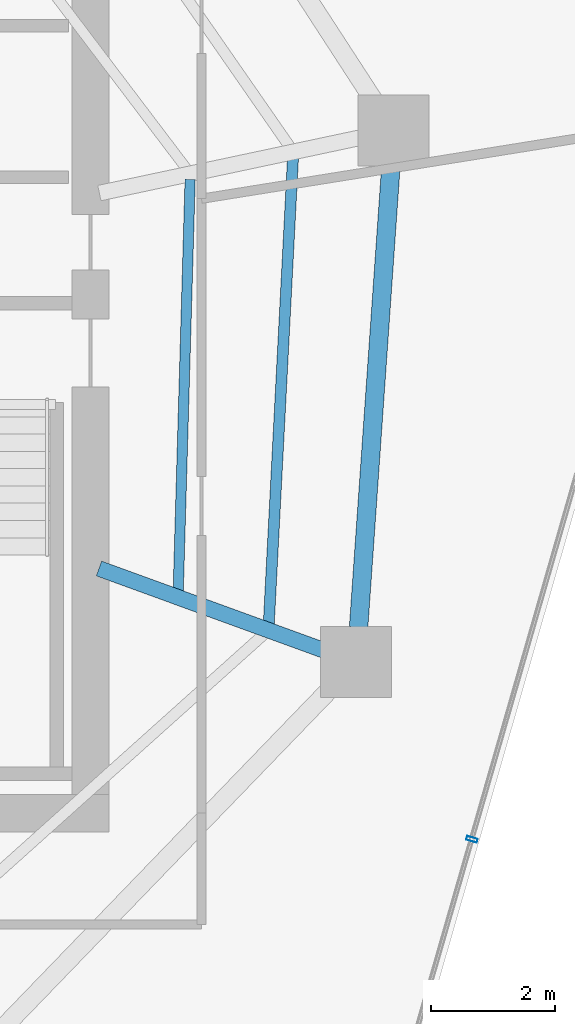
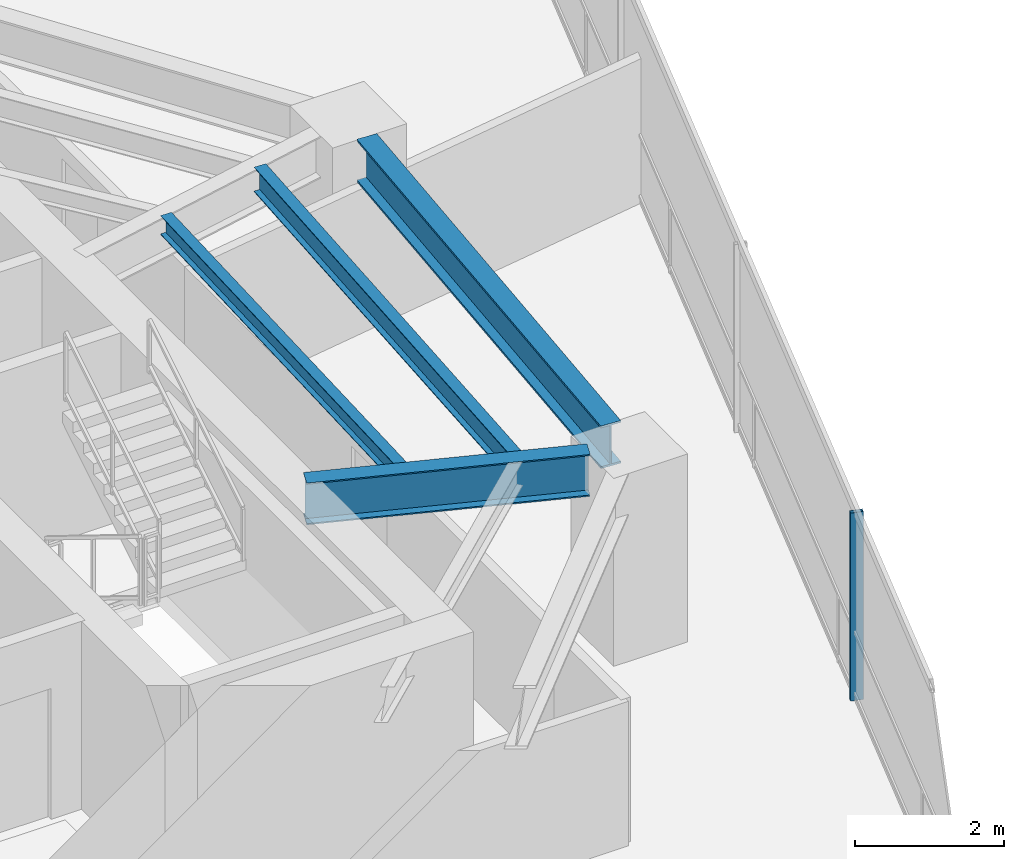
# One storey, part 8 of 23: 4 beams, 1 member, 1 element without a shape of its own.
"""IFC4 building model written with IfcOpenShell, lengths in metres."""

from ifc_helpers import new_model, si_unit, direction, frame, origin, origin_2d, place, context, subcontext, project, spatial, hollow_rectangle, i_section, extrude, material, layer, layer_set, material_profile, profile_set, type_object, element, aggregate, save


model = new_model("IFC4")

# Units and contexts
model_context = context("Model", 3, precision=1e-05, world=origin(), true_north=direction((0.0, 1.0)))
body_context = subcontext(model_context, "Body", "Model", "MODEL_VIEW")
ifc_project = project(units=[si_unit("LENGTHUNIT", "METRE"), si_unit("AREAUNIT", "SQUARE_METRE"), si_unit("VOLUMEUNIT", "CUBIC_METRE"), si_unit("PLANEANGLEUNIT", "RADIAN"), si_unit("MASSUNIT", "GRAM", prefix="KILO")], contexts=[model_context])

# Site, building, storey
site_placement = place(None, origin())
site = spatial("IfcSite", under=ifc_project, at=site_placement, CompositionType="ELEMENT")
building_placement = place(site_placement, origin())
building = spatial("IfcBuilding", under=site, at=building_placement, Name="Qarnah Convention Tower", CompositionType="ELEMENT")
storey_placement = place(building_placement, frame((0.0, 0.0, 117.75)))
storey = spatial("IfcBuildingStorey", under=building, at=storey_placement, Name="L31", CompositionType="ELEMENT", Elevation=117.75)

# Beams
ifc_material_1 = material(Name="Structural steel S355JR", Category="steel")
ifc_material_profile_1 = material_profile(ifc_material_1, i_section(OverallWidth=0.166015625, OverallDepth=0.31201171875, WebThickness=0.007080078125, FlangeThickness=0.010986328125, at=origin_2d()), Name="W310X45")
ifc_profile_set_1 = profile_set([ifc_material_profile_1], Name="Structural steel S355JR")
beam_type_1 = type_object("IfcBeamType", Name="BM-JST-W310", PredefinedType="JOIST", material=ifc_profile_set_1)
beam_1_placement = place(storey_placement, frame((49.02392578125, 22.18701171875, 2.93408203125), z_axis=(0.028906133337, 0.99958213042, 0.0), x_axis=(-0.99958213042, 0.028906133337, 0.0)))
element("IfcBeam", 1, at=beam_1_placement, inside=storey, type_object=beam_type_1, Name="L31 joist BM-L31-IJST-09", PredefinedType="JOIST", context=body_context, shape_type="SweptSolid", body=[
    extrude(i_section(OverallWidth=0.166015625, OverallDepth=0.31201171875, WebThickness=0.007080078125, FlangeThickness=0.010986328125, at=origin_2d()), origin(), (0.0, 0.0, 1.0), 6.6806640625),
])
ifc_material_profile_2 = material_profile(ifc_material_1, i_section(OverallWidth=0.177978515625, OverallDepth=0.407958984375, WebThickness=0.008056640625, FlangeThickness=0.012939453125, at=origin_2d()), Name="W410X60")
ifc_profile_set_2 = profile_set([ifc_material_profile_2], Name="Structural steel S355JR")
beam_type_2 = type_object("IfcBeamType", Name="BM-JST-W410", PredefinedType="JOIST", material=ifc_profile_set_2)
beam_2_placement = place(storey_placement, frame((50.489990234375, 21.654052734375, 2.885986328125), z_axis=(0.051882273789, 0.998653207909, 0.0), x_axis=(-0.998653207909, 0.051882273789, 0.0)))
element("IfcBeam", 2, at=beam_2_placement, inside=storey, type_object=beam_type_2, Name="L31 joist BM-L31-SJST-09", PredefinedType="JOIST", context=body_context, shape_type="SweptSolid", body=[
    extrude(i_section(OverallWidth=0.177978515625, OverallDepth=0.407958984375, WebThickness=0.008056640625, FlangeThickness=0.012939453125, at=origin_2d()), origin(), (0.0, 0.0, 1.0), 7.576171875),
])
ifc_material_profile_3 = material_profile(ifc_material_1, i_section(OverallWidth=0.25390625, OverallDepth=0.68798828125, WebThickness=0.012939453125, FlangeThickness=0.02099609375, at=origin_2d()), Name="W690X152")
ifc_profile_set_3 = profile_set([ifc_material_profile_3], Name="Structural steel S355JR")
beam_type_3 = type_object("IfcBeamType", Name="BM-RAD-W690", PredefinedType="BEAM", material=ifc_profile_set_3)
beam_3_placement = place(storey_placement, frame((47.740966796875, 22.56298828125, 2.74609375), z_axis=(0.93969593668, -0.342011032845, 0.0), x_axis=(0.342011032845, 0.93969593668, 0.0)))
element("IfcBeam", 3, at=beam_3_placement, inside=storey, type_object=beam_type_3, Name="L31 beam BM-L31-RAD-09", PredefinedType="BEAM", context=body_context, shape_type="SweptSolid", body=[
    extrude(i_section(OverallWidth=0.25390625, OverallDepth=0.68798828125, WebThickness=0.012939453125, FlangeThickness=0.02099609375, at=origin_2d()), origin(), (0.0, 0.0, 1.0), 3.876953125),
])
ifc_material_profile_4 = material_profile(ifc_material_1, i_section(OverallWidth=0.300048828125, OverallDepth=0.699951171875, WebThickness=0.01708984375, FlangeThickness=0.031982421875, at=origin_2d()), Name="HEB700")
ifc_profile_set_4 = profile_set([ifc_material_profile_4], Name="Structural steel S355JR")
beam_type_4 = type_object("IfcBeamType", Name="BM-RING-HEB700", PredefinedType="BEAM", material=ifc_profile_set_4)
beam_4_placement = place(storey_placement, frame((51.945068359375, 21.611083984375, 2.739990234375), z_axis=(0.069881623509, 0.997555291047, 0.0), x_axis=(-0.997555291047, 0.069881623509, 0.0)))
element("IfcBeam", 4, at=beam_4_placement, inside=storey, type_object=beam_type_4, Name="L31 beam BM-L31-SPN-09", PredefinedType="BEAM", context=body_context, shape_type="SweptSolid", body=[
    extrude(i_section(OverallWidth=0.300048828125, OverallDepth=0.699951171875, WebThickness=0.01708984375, FlangeThickness=0.031982421875, at=origin_2d()), origin(), (0.0, 0.0, 1.0), 7.497314453125),
])

# Curtain wall, member
ifc_material_2 = material(Name="Tempered Low-E dark glass", Category="glass")
ifc_layer = layer(ifc_material_2, 0.169921875)
ifc_layer_set = layer_set([ifc_layer], Name="Tempered Low-E dark glass")
curtain_wall_type = type_object("IfcCurtainWallType", Name="CWS-02", PredefinedType="NOTDEFINED", material=ifc_layer_set)
curtain_wall_placement = place(storey_placement, origin())
curtain_wall = element("IfcCurtainWall", 5, at=curtain_wall_placement, inside=storey, type_object=curtain_wall_type, Name="L31 unitised curtain wall CW-L31-F3", PredefinedType="NOTDEFINED")
ifc_material_3 = material(Name="Black anodised aluminium", Category="aluminium")
ifc_material_profile_5 = material_profile(ifc_material_3, hollow_rectangle(XDim=0.06494140625, YDim=0.179931640625, WallThickness=0.00390625, at=origin_2d()), Name="MUL-65X180")
ifc_profile_set_5 = profile_set([ifc_material_profile_5], Name="Black anodised aluminium")
member_type = type_object("IfcMemberType", Name="MUL-T2", PredefinedType="MULLION", material=ifc_profile_set_5)
member_placement = place(storey_placement, frame((53.780517578125, 18.176513671875, 0.0), z_axis=(0.0, 0.0, 1.0), x_axis=(-0.276962624896, -0.960880692079, 0.0)))
member = element("IfcMember", 6, at=member_placement, type_object=member_type, Name="CW-L31-F3 mullion 4", PredefinedType="MULLION", context=body_context, shape_type="SweptSolid", body=[
    extrude(hollow_rectangle(XDim=0.06494140625, YDim=0.179931640625, WallThickness=0.00390625, at=origin_2d()), origin(), (0.0, 0.0, 1.0), 3.090087890625),
])
aggregate(curtain_wall, [member])

save(model, "model.ifc")
